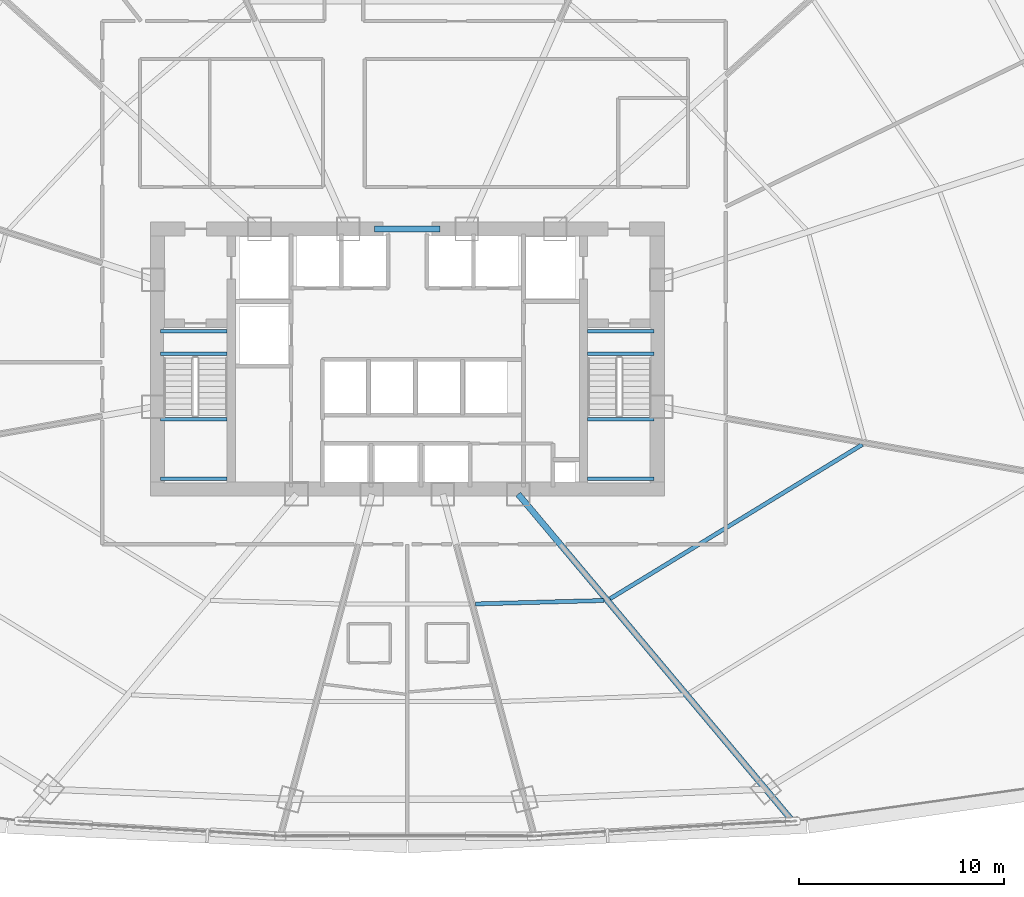
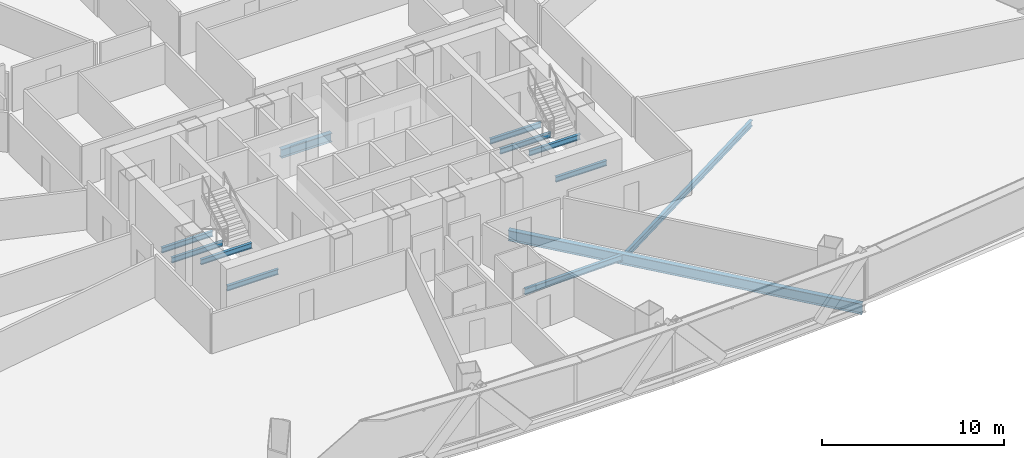
# One storey, part 12 of 38: 12 beams.
"""IFC4 building model written with IfcOpenShell, lengths in metres."""

from ifc_helpers import new_model, si_unit, direction, frame, origin, origin_2d, place, context, subcontext, project, spatial, i_section, extrude, source, transform, mapped, material, material_profile, profile_set, type_object, element, save


model = new_model("IFC4")

# Units and contexts
model_context = context("Model", 3, precision=1e-05, world=origin(), true_north=direction((0.0, 1.0)))
body_context = subcontext(model_context, "Body", "Model", "MODEL_VIEW")
ifc_project = project(units=[si_unit("LENGTHUNIT", "METRE"), si_unit("AREAUNIT", "SQUARE_METRE"), si_unit("VOLUMEUNIT", "CUBIC_METRE"), si_unit("PLANEANGLEUNIT", "RADIAN"), si_unit("MASSUNIT", "GRAM", prefix="KILO"), si_unit("THERMODYNAMICTEMPERATUREUNIT", "KELVIN"), si_unit("POWERUNIT", "WATT")], contexts=[model_context])

# Site, building, storey
site_placement = place(None, origin())
site = spatial("IfcSite", under=ifc_project, at=site_placement, CompositionType="ELEMENT")
building_placement = place(site_placement, origin())
building = spatial("IfcBuilding", under=site, at=building_placement, Name="Yunzhuo Pagoda Commons", CompositionType="ELEMENT")
storey_placement = place(building_placement, frame((0.0, 0.0, 30.39990234375)))
storey = spatial("IfcBuildingStorey", under=building, at=storey_placement, Name="L07", CompositionType="ELEMENT", Elevation=30.39990234375)

# Beams
ifc_material_1 = material(Name="Structural steel Q355B", Category="steel")
ifc_material_profile_1 = material_profile(ifc_material_1, i_section(OverallWidth=0.175048828125, OverallDepth=0.35009765625, WebThickness=0.007080078125, FlangeThickness=0.010986328125, at=origin_2d()), Name="Structural steel Q355B")
ifc_profile_set_1 = profile_set([ifc_material_profile_1], Name="Structural steel Q355B")
beam_type_1 = type_object("IfcBeamType", Name="B-JS2 Joist HN 350x175x7x11", PredefinedType="JOIST", material=ifc_profile_set_1)
shared_shape_1 = source(origin(), body_context, "Body", "SweptSolid", [
    extrude(i_section(OverallWidth=0.175048828125, OverallDepth=0.35009765625, WebThickness=0.007080078125, FlangeThickness=0.010986328125, at=origin_2d()), origin(), (0.0, 0.0, 1.0), 3.25),
])
for number, where, z_axis, x_axis, name in (
    (1, (35.949951171875, 28.0, 1.440185546875), (1.0, 0.0, 0.0), (0.0, 1.0, 0.0), "L07 ST1 landing support beam 11A"),
    (2, (35.949951171875, 30.89990234375, 1.440185546875), (1.0, 0.0, 0.0), (0.0, 1.0, 0.0), "L07 ST1 landing support beam 11B"),
    (3, (35.949951171875, 34.10009765625, -0.375), (1.0, 0.0, 0.0), (0.0, 1.0, 0.0), "L07 ST1 landing support beam 111A"),
    (4, (35.949951171875, 35.199951171875, -0.375), (1.0, 0.0, 0.0), (0.0, 1.0, 0.0), "L07 ST1 landing support beam 111B"),
    (5, (56.800048828125, 28.0, 1.440185546875), (1.0, 0.0, 0.0), (0.0, 1.0, 0.0), "L07 ST2 landing support beam 11A"),
    (6, (56.800048828125, 30.89990234375, 1.440185546875), (1.0, 0.0, 0.0), (0.0, 1.0, 0.0), "L07 ST2 landing support beam 11B"),
    (7, (56.800048828125, 34.10009765625, -0.375), (1.0, 0.0, 0.0), (0.0, 1.0, 0.0), "L07 ST2 landing support beam 111A"),
    (8, (56.800048828125, 35.199951171875, -0.375), (1.0, 0.0, 0.0), (0.0, 1.0, 0.0), "L07 ST2 landing support beam 111B"),
):
    element("IfcBeam", number, at=place(storey_placement, frame(where, z_axis=z_axis, x_axis=x_axis)), inside=storey, type_object=beam_type_1, Name=name, PredefinedType="JOIST", context=body_context, shape_type="MappedRepresentation", body=[
        mapped(shared_shape_1, transform((0.0, 0.0, 0.0), scale=1.0)),
    ])
ifc_material_2 = material(Name="Structural steel Q420B", Category="steel")
ifc_material_profile_2 = material_profile(ifc_material_2, i_section(OverallWidth=0.300048828125, OverallDepth=0.587890625, WebThickness=0.011962890625, FlangeThickness=0.02001953125, at=origin_2d()), Name="Structural steel Q420B")
ifc_profile_set_2 = profile_set([ifc_material_profile_2], Name="Structural steel Q420B")
beam_type_2 = type_object("IfcBeamType", Name="B-CPL Beam HM 588x300x12x20", PredefinedType="BEAM", material=ifc_profile_set_2)
shared_shape_2 = source(origin(), body_context, "Body", "SweptSolid", [
    extrude(i_section(OverallWidth=0.300048828125, OverallDepth=0.587890625, WebThickness=0.011962890625, FlangeThickness=0.02001953125, at=origin_2d()), origin(), (0.0, 0.0, 1.0), 3.2001953125),
])
beam_1_placement = place(storey_placement, frame((46.39990234375, 40.199951171875, -0.553955078125), z_axis=(1.0, 0.0, 0.0), x_axis=(0.0, 1.0, 0.0)))
element("IfcBeam", 9, at=beam_1_placement, inside=storey, type_object=beam_type_2, Name="L07 core coupling girder", PredefinedType="BEAM", context=body_context, shape_type="MappedRepresentation", body=[
    mapped(shared_shape_2, transform((0.0, 0.0, 0.0), scale=1.0)),
])
ifc_material_profile_3 = material_profile(ifc_material_1, i_section(OverallWidth=0.300048828125, OverallDepth=0.699951171875, WebThickness=0.012939453125, FlangeThickness=0.02392578125, at=origin_2d()), Name="Structural steel Q355B")
ifc_profile_set_3 = profile_set([ifc_material_profile_3], Name="Structural steel Q355B")
beam_type_3 = type_object("IfcBeamType", Name="B-RG1 Beam HN 700x300x13x24", PredefinedType="BEAM", material=ifc_profile_set_3)
shared_shape_3 = source(origin(), body_context, "Body", "SweptSolid", [
    extrude(i_section(OverallWidth=0.300048828125, OverallDepth=0.699951171875, WebThickness=0.012939453125, FlangeThickness=0.02392578125, at=origin_2d()), origin(), (0.0, 0.0, 1.0), 20.693115234375),
])
beam_2_placement = place(storey_placement, frame((66.71337890625, 11.398193359375, -0.60986328125), z_axis=(-0.642788302359, 0.766043861897, 0.0), x_axis=(-0.766043861897, -0.642788302359, 0.0)))
element("IfcBeam", 10, at=beam_2_placement, inside=storey, type_object=beam_type_3, Name="L07 radial floor girder F1C4", PredefinedType="BEAM", context=body_context, shape_type="MappedRepresentation", body=[
    mapped(shared_shape_3, transform((0.0, 0.0, 0.0), scale=1.0)),
])
ifc_material_profile_4 = material_profile(ifc_material_1, i_section(OverallWidth=0.199951171875, OverallDepth=0.39990234375, WebThickness=0.008056640625, FlangeThickness=0.012939453125, at=origin_2d()), Name="Structural steel Q355B")
ifc_profile_set_4 = profile_set([ifc_material_profile_4], Name="Structural steel Q355B")
beam_type_4 = type_object("IfcBeamType", Name="B-JS1 Joist HN 400x200x8x13", PredefinedType="JOIST", material=ifc_profile_set_4)
shared_shape_4 = source(origin(), body_context, "Body", "SweptSolid", [
    extrude(i_section(OverallWidth=0.199951171875, OverallDepth=0.39990234375, WebThickness=0.008056640625, FlangeThickness=0.012939453125, at=origin_2d()), origin(), (0.0, 0.0, 1.0), 6.283203125),
])
beam_3_placement = place(storey_placement, frame((51.32421875, 21.89111328125, -0.4599609375), z_axis=(0.999638450037, 0.026888086735, 0.0), x_axis=(-0.026888086735, 0.999638450037, 0.0)))
element("IfcBeam", 11, at=beam_3_placement, inside=storey, type_object=beam_type_4, Name="L07 composite ring joist 1.3", PredefinedType="JOIST", context=body_context, shape_type="MappedRepresentation", body=[
    mapped(shared_shape_4, transform((0.0, 0.0, 0.0), scale=1.0)),
])
shared_shape_5 = source(origin(), body_context, "Body", "SweptSolid", [
    extrude(i_section(OverallWidth=0.199951171875, OverallDepth=0.39990234375, WebThickness=0.008056640625, FlangeThickness=0.012939453125, at=origin_2d()), origin(), (0.0, 0.0, 1.0), 14.4365234375),
])
beam_4_placement = place(storey_placement, frame((57.8994140625, 22.14697265625, -0.4599609375), z_axis=(0.85325633277, 0.521491735876, 0.0), x_axis=(-0.521491735876, 0.85325633277, 0.0)))
element("IfcBeam", 12, at=beam_4_placement, inside=storey, type_object=beam_type_4, Name="L07 composite ring joist 1.4", PredefinedType="JOIST", context=body_context, shape_type="MappedRepresentation", body=[
    mapped(shared_shape_5, transform((0.0, 0.0, 0.0), scale=1.0)),
])

save(model, "model.ifc")
